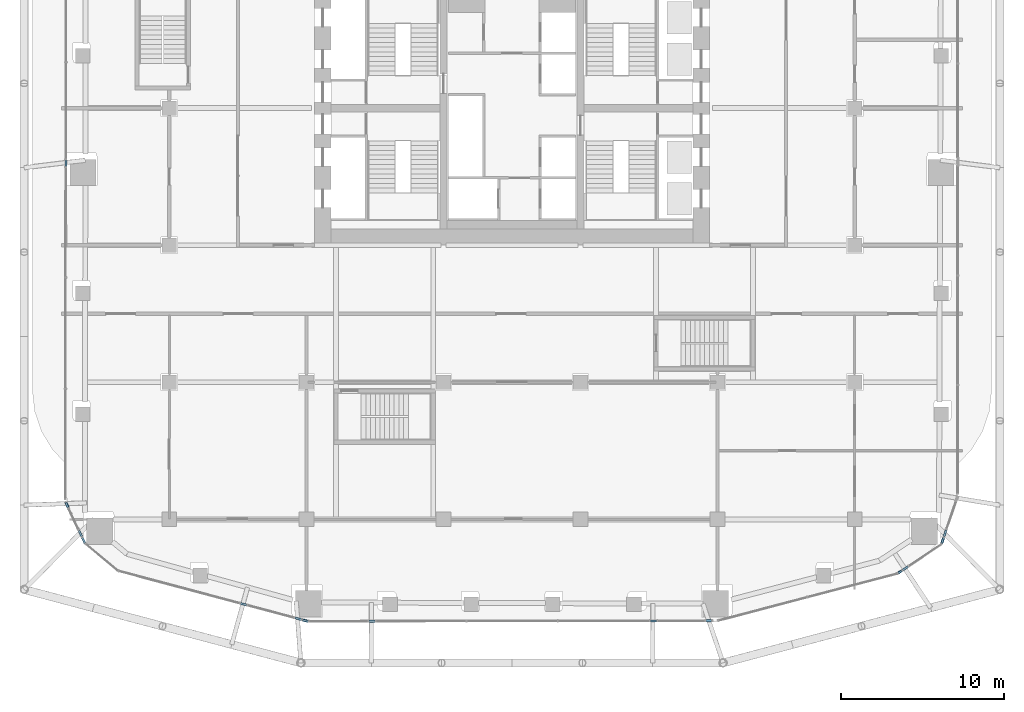
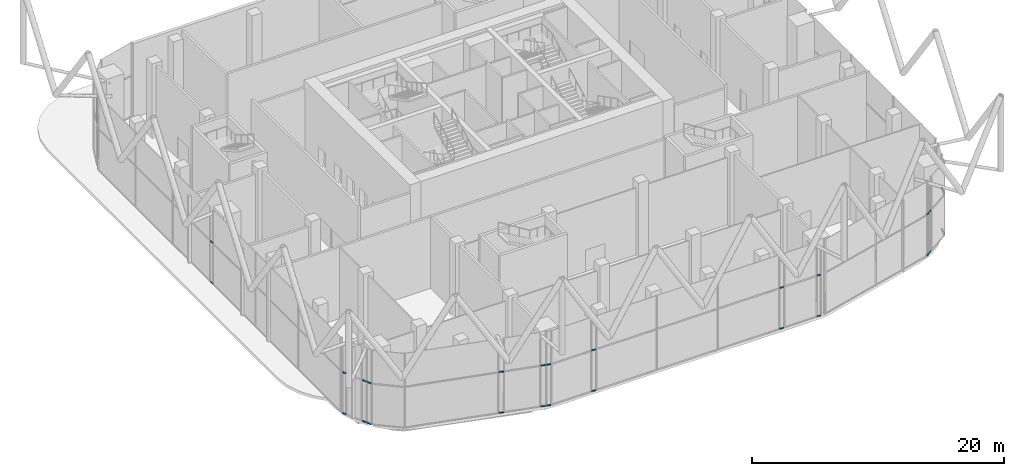
# One storey, part 13 of 34: 28 members, 14 elements without a shape of their own.
"""IFC4 building model written with IfcOpenShell, lengths in metres."""

from ifc_helpers import new_model, si_unit, direction, frame, origin, origin_2d, place, context, subcontext, project, spatial, rectangle, extrude, material, layer, layer_set, material_profile, profile_set, type_object, element, aggregate, save


model = new_model("IFC4")

# Units and contexts
model_context = context("Model", 3, precision=1e-05, world=origin(), true_north=direction((0.0, 1.0)))
body_context = subcontext(model_context, "Body", "Model", "MODEL_VIEW")
ifc_project = project(units=[si_unit("LENGTHUNIT", "METRE"), si_unit("AREAUNIT", "SQUARE_METRE"), si_unit("VOLUMEUNIT", "CUBIC_METRE"), si_unit("PLANEANGLEUNIT", "RADIAN"), si_unit("MASSUNIT", "GRAM", prefix="KILO")], contexts=[model_context])

# Site, building, storey
site_placement = place(None, origin())
site = spatial("IfcSite", under=ifc_project, at=site_placement, CompositionType="ELEMENT")
building_placement = place(site_placement, origin())
building = spatial("IfcBuilding", under=site, at=building_placement, Name="Marenta Gate Hotel Tower", CompositionType="ELEMENT")
storey_placement = place(building_placement, frame((0.0, 0.0, 97.699951171875)))
storey = spatial("IfcBuildingStorey", under=building, at=storey_placement, Name="L21", CompositionType="ELEMENT", Elevation=97.699951171875)

# Curtain wall, members
ifc_material_1 = material(Name="Tinted insulated glass in bronze anodised frame", Category="glass")
ifc_layer = layer(ifc_material_1, 0.1298828125)
ifc_layer_set = layer_set([ifc_layer], Name="Tinted insulated glass in bronze anodised frame")
curtain_wall_type = type_object("IfcCurtainWallType", Name="Sky lobby glazing CW2", PredefinedType="NOTDEFINED", material=ifc_layer_set)
curtain_wall_1_placement = place(storey_placement, origin())
curtain_wall_1 = element("IfcCurtainWall", 1, at=curtain_wall_1_placement, inside=storey, type_object=curtain_wall_type, Name="CW2 run G07", PredefinedType="NOTDEFINED")
ifc_material_2 = material(Name="Bronze anodised aluminium", Category="aluminium")
ifc_material_profile = material_profile(ifc_material_2, rectangle(XDim=0.1298828125, YDim=0.080078125, at=origin_2d()), Name="Transom CW2 80x130 bronze anodised aluminium")
ifc_profile_set = profile_set([ifc_material_profile], Name="Bronze anodised aluminium")
member_type = type_object("IfcMemberType", Name="Transom CW2 80x130 bronze anodised aluminium", PredefinedType="USERDEFINED", material=ifc_profile_set)
member_1_placement = place(storey_placement, frame((-27.34521484375, 5.211181640625, 0.0400390625), z_axis=(-0.00194552161, -0.999998107471, 0.0), x_axis=(0.999998107471, -0.00194552161, 0.0)))
member_1 = element("IfcMember", 2, at=member_1_placement, type_object=member_type, Name="CW2 transom 1.1", ObjectType="TRANSOM", PredefinedType="USERDEFINED", context=body_context, shape_type="SweptSolid", body=[
    extrude(rectangle(XDim=0.1298828125, YDim=0.080078125, at=origin_2d()), origin(), (0.0, 0.0, 1.0), 0.37646484375),
])
member_2_placement = place(storey_placement, frame((-27.34521484375, 5.211181640625, 4.0), z_axis=(-0.00194552161, -0.999998107471, 0.0), x_axis=(0.999998107471, -0.00194552161, 0.0)))
member_2 = element("IfcMember", 3, at=member_2_placement, type_object=member_type, Name="CW2 transom 1.2", ObjectType="TRANSOM", PredefinedType="USERDEFINED", context=body_context, shape_type="SweptSolid", body=[
    extrude(rectangle(XDim=0.1298828125, YDim=0.080078125, at=origin_2d()), origin(), (0.0, 0.0, 1.0), 0.37646484375),
])
aggregate(curtain_wall_1, [member_1, member_2])

curtain_wall_2_placement = place(storey_placement, origin())
curtain_wall_2 = element("IfcCurtainWall", 4, at=curtain_wall_2_placement, inside=storey, type_object=curtain_wall_type, Name="CW2 run G09", PredefinedType="NOTDEFINED")
member_3_placement = place(storey_placement, frame((-27.34423828125, -15.767333984375, 0.0400390625), z_axis=(0.423545475436, -0.90587484248, 0.0), x_axis=(0.90587484248, 0.423545475436, 0.0)))
member_3 = element("IfcMember", 5, at=member_3_placement, type_object=member_type, Name="CW2 transom 1.1", ObjectType="TRANSOM", PredefinedType="USERDEFINED", context=body_context, shape_type="SweptSolid", body=[
    extrude(rectangle(XDim=0.1298828125, YDim=0.080078125, at=origin_2d()), origin(), (0.0, 0.0, 1.0), 0.323974609375),
])
member_4_placement = place(storey_placement, frame((-27.34423828125, -15.767333984375, 4.0), z_axis=(0.423545475436, -0.90587484248, 0.0), x_axis=(0.90587484248, 0.423545475436, 0.0)))
member_4 = element("IfcMember", 6, at=member_4_placement, type_object=member_type, Name="CW2 transom 1.2", ObjectType="TRANSOM", PredefinedType="USERDEFINED", context=body_context, shape_type="SweptSolid", body=[
    extrude(rectangle(XDim=0.1298828125, YDim=0.080078125, at=origin_2d()), origin(), (0.0, 0.0, 1.0), 0.323974609375),
])
aggregate(curtain_wall_2, [member_3, member_4])

curtain_wall_3_placement = place(storey_placement, origin())
curtain_wall_3 = element("IfcCurtainWall", 7, at=curtain_wall_3_placement, inside=storey, type_object=curtain_wall_type, Name="CW2 run G11", PredefinedType="NOTDEFINED")
member_5_placement = place(storey_placement, frame((-26.53955078125, -17.489501953125, 0.0400390625), z_axis=(0.423548784825, -0.905873295154, 0.0), x_axis=(0.905873295154, 0.423548784825, 0.0)))
member_5 = element("IfcMember", 8, at=member_5_placement, type_object=member_type, Name="CW2 transom 1.1", ObjectType="TRANSOM", PredefinedType="USERDEFINED", context=body_context, shape_type="SweptSolid", body=[
    extrude(rectangle(XDim=0.1298828125, YDim=0.080078125, at=origin_2d()), origin(), (0.0, 0.0, 1.0), 0.40283203125),
])
member_6_placement = place(storey_placement, frame((-26.53955078125, -17.489501953125, 4.0), z_axis=(0.423548784825, -0.905873295154, 0.0), x_axis=(0.905873295154, 0.423548784825, 0.0)))
member_6 = element("IfcMember", 9, at=member_6_placement, type_object=member_type, Name="CW2 transom 1.2", ObjectType="TRANSOM", PredefinedType="USERDEFINED", context=body_context, shape_type="SweptSolid", body=[
    extrude(rectangle(XDim=0.1298828125, YDim=0.080078125, at=origin_2d()), origin(), (0.0, 0.0, 1.0), 0.40283203125),
])
aggregate(curtain_wall_3, [member_5, member_6])

curtain_wall_4_placement = place(storey_placement, origin())
curtain_wall_4 = element("IfcCurtainWall", 10, at=curtain_wall_4_placement, inside=storey, type_object=curtain_wall_type, Name="CW2 run G12", PredefinedType="NOTDEFINED")
member_7_placement = place(storey_placement, frame((-26.3349609375, -17.927001953125, 0.0400390625), z_axis=(0.423465846474, -0.905912069061, 0.0), x_axis=(0.905912069061, 0.423465846474, 0.0)))
member_7 = element("IfcMember", 11, at=member_7_placement, type_object=member_type, Name="CW2 transom 1.1", ObjectType="TRANSOM", PredefinedType="USERDEFINED", context=body_context, shape_type="SweptSolid", body=[
    extrude(rectangle(XDim=0.1298828125, YDim=0.080078125, at=origin_2d()), origin(), (0.0, 0.0, 1.0), 0.368408203125),
])
member_8_placement = place(storey_placement, frame((-26.3349609375, -17.927001953125, 4.0), z_axis=(0.423465846474, -0.905912069061, 0.0), x_axis=(0.905912069061, 0.423465846474, 0.0)))
member_8 = element("IfcMember", 12, at=member_8_placement, type_object=member_type, Name="CW2 transom 1.2", ObjectType="TRANSOM", PredefinedType="USERDEFINED", context=body_context, shape_type="SweptSolid", body=[
    extrude(rectangle(XDim=0.1298828125, YDim=0.080078125, at=origin_2d()), origin(), (0.0, 0.0, 1.0), 0.368408203125),
])
aggregate(curtain_wall_4, [member_7, member_8])

curtain_wall_5_placement = place(storey_placement, origin())
curtain_wall_5 = element("IfcCurtainWall", 13, at=curtain_wall_5_placement, inside=storey, type_object=curtain_wall_type, Name="CW2 run G15", PredefinedType="NOTDEFINED")
member_9_placement = place(storey_placement, frame((-16.63232421875, -21.95458984375, 0.0400390625), z_axis=(0.966375967665, -0.257133212791, 0.0), x_axis=(0.257133212791, 0.966375967665, 0.0)))
member_9 = element("IfcMember", 14, at=member_9_placement, type_object=member_type, Name="CW2 transom 1.1", ObjectType="TRANSOM", PredefinedType="USERDEFINED", context=body_context, shape_type="SweptSolid", body=[
    extrude(rectangle(XDim=0.1298828125, YDim=0.080078125, at=origin_2d()), origin(), (0.0, 0.0, 1.0), 0.373046875),
])
member_10_placement = place(storey_placement, frame((-16.63232421875, -21.95458984375, 4.0), z_axis=(0.966375967665, -0.257133212791, 0.0), x_axis=(0.257133212791, 0.966375967665, 0.0)))
member_10 = element("IfcMember", 15, at=member_10_placement, type_object=member_type, Name="CW2 transom 1.2", ObjectType="TRANSOM", PredefinedType="USERDEFINED", context=body_context, shape_type="SweptSolid", body=[
    extrude(rectangle(XDim=0.1298828125, YDim=0.080078125, at=origin_2d()), origin(), (0.0, 0.0, 1.0), 0.373046875),
])
aggregate(curtain_wall_5, [member_9, member_10])

curtain_wall_6_placement = place(storey_placement, origin())
curtain_wall_6 = element("IfcCurtainWall", 16, at=curtain_wall_6_placement, inside=storey, type_object=curtain_wall_type, Name="CW2 run G17", PredefinedType="NOTDEFINED")
member_11_placement = place(storey_placement, frame((-13.2998046875, -22.841552734375, 0.0400390625), z_axis=(0.966558469222, -0.256446340539, 0.0), x_axis=(0.256446340539, 0.966558469222, 0.0)))
member_11 = element("IfcMember", 17, at=member_11_placement, type_object=member_type, Name="CW2 transom 1.1", ObjectType="TRANSOM", PredefinedType="USERDEFINED", context=body_context, shape_type="SweptSolid", body=[
    extrude(rectangle(XDim=0.1298828125, YDim=0.080078125, at=origin_2d()), origin(), (0.0, 0.0, 1.0), 0.39990234375),
])
member_12_placement = place(storey_placement, frame((-13.2998046875, -22.841552734375, 4.0), z_axis=(0.966558469222, -0.256446340539, 0.0), x_axis=(0.256446340539, 0.966558469222, 0.0)))
member_12 = element("IfcMember", 18, at=member_12_placement, type_object=member_type, Name="CW2 transom 1.2", ObjectType="TRANSOM", PredefinedType="USERDEFINED", context=body_context, shape_type="SweptSolid", body=[
    extrude(rectangle(XDim=0.1298828125, YDim=0.080078125, at=origin_2d()), origin(), (0.0, 0.0, 1.0), 0.39990234375),
])
aggregate(curtain_wall_6, [member_11, member_12])

curtain_wall_7_placement = place(storey_placement, origin())
curtain_wall_7 = element("IfcCurtainWall", 19, at=curtain_wall_7_placement, inside=storey, type_object=curtain_wall_type, Name="CW2 run G18", PredefinedType="NOTDEFINED")
member_13_placement = place(storey_placement, frame((-12.836181640625, -22.96484375, 0.0400390625), z_axis=(0.966412931223, -0.256994253562, 0.0), x_axis=(0.256994253562, 0.966412931223, 0.0)))
member_13 = element("IfcMember", 20, at=member_13_placement, type_object=member_type, Name="CW2 transom 1.1", ObjectType="TRANSOM", PredefinedType="USERDEFINED", context=body_context, shape_type="SweptSolid", body=[
    extrude(rectangle(XDim=0.1298828125, YDim=0.080078125, at=origin_2d()), origin(), (0.0, 0.0, 1.0), 0.341064453125),
])
member_14_placement = place(storey_placement, frame((-12.836181640625, -22.96484375, 4.0), z_axis=(0.966412931223, -0.256994253562, 0.0), x_axis=(0.256994253562, 0.966412931223, 0.0)))
member_14 = element("IfcMember", 21, at=member_14_placement, type_object=member_type, Name="CW2 transom 1.2", ObjectType="TRANSOM", PredefinedType="USERDEFINED", context=body_context, shape_type="SweptSolid", body=[
    extrude(rectangle(XDim=0.1298828125, YDim=0.080078125, at=origin_2d()), origin(), (0.0, 0.0, 1.0), 0.341064453125),
])
aggregate(curtain_wall_7, [member_13, member_14])

curtain_wall_8_placement = place(storey_placement, origin())
curtain_wall_8 = element("IfcCurtainWall", 22, at=curtain_wall_8_placement, inside=storey, type_object=curtain_wall_type, Name="CW2 run G20", PredefinedType="NOTDEFINED")
member_15_placement = place(storey_placement, frame((-8.764404296875, -23.04736328125, 0.0400390625), z_axis=(0.999999143391, 0.001308899402, 0.0), x_axis=(-0.001308899402, 0.999999143391, 0.0)))
member_15 = element("IfcMember", 23, at=member_15_placement, type_object=member_type, Name="CW2 transom 1.1", ObjectType="TRANSOM", PredefinedType="USERDEFINED", context=body_context, shape_type="SweptSolid", body=[
    extrude(rectangle(XDim=0.1298828125, YDim=0.080078125, at=origin_2d()), origin(), (0.0, 0.0, 1.0), 0.373046875),
])
member_16_placement = place(storey_placement, frame((-8.764404296875, -23.04736328125, 4.0), z_axis=(0.999999143391, 0.001308899402, 0.0), x_axis=(-0.001308899402, 0.999999143391, 0.0)))
member_16 = element("IfcMember", 24, at=member_16_placement, type_object=member_type, Name="CW2 transom 1.2", ObjectType="TRANSOM", PredefinedType="USERDEFINED", context=body_context, shape_type="SweptSolid", body=[
    extrude(rectangle(XDim=0.1298828125, YDim=0.080078125, at=origin_2d()), origin(), (0.0, 0.0, 1.0), 0.373046875),
])
aggregate(curtain_wall_8, [member_15, member_16])

curtain_wall_9_placement = place(storey_placement, origin())
curtain_wall_9 = element("IfcCurtainWall", 25, at=curtain_wall_9_placement, inside=storey, type_object=curtain_wall_type, Name="CW2 run G22", PredefinedType="NOTDEFINED")
member_17_placement = place(storey_placement, frame((8.48779296875, -23.02392578125, 0.0400390625), z_axis=(0.999999143391, 0.001308899402, 0.0), x_axis=(-0.001308899402, 0.999999143391, 0.0)))
member_17 = element("IfcMember", 26, at=member_17_placement, type_object=member_type, Name="CW2 transom 1.1", ObjectType="TRANSOM", PredefinedType="USERDEFINED", context=body_context, shape_type="SweptSolid", body=[
    extrude(rectangle(XDim=0.1298828125, YDim=0.080078125, at=origin_2d()), origin(), (0.0, 0.0, 1.0), 0.373046875),
])
member_18_placement = place(storey_placement, frame((8.48779296875, -23.02392578125, 4.0), z_axis=(0.999999143391, 0.001308899402, 0.0), x_axis=(-0.001308899402, 0.999999143391, 0.0)))
member_18 = element("IfcMember", 27, at=member_18_placement, type_object=member_type, Name="CW2 transom 1.2", ObjectType="TRANSOM", PredefinedType="USERDEFINED", context=body_context, shape_type="SweptSolid", body=[
    extrude(rectangle(XDim=0.1298828125, YDim=0.080078125, at=origin_2d()), origin(), (0.0, 0.0, 1.0), 0.373046875),
])
aggregate(curtain_wall_9, [member_17, member_18])

curtain_wall_10_placement = place(storey_placement, origin())
curtain_wall_10 = element("IfcCurtainWall", 28, at=curtain_wall_10_placement, inside=storey, type_object=curtain_wall_type, Name="CW2 run G24", PredefinedType="NOTDEFINED")
member_19_placement = place(storey_placement, frame((11.9033203125, -23.019287109375, 0.0400390625), z_axis=(0.999998823819, 0.001533740527, 0.0), x_axis=(-0.001533740527, 0.999998823819, 0.0)))
member_19 = element("IfcMember", 29, at=member_19_placement, type_object=member_type, Name="CW2 transom 1.1", ObjectType="TRANSOM", PredefinedType="USERDEFINED", context=body_context, shape_type="SweptSolid", body=[
    extrude(rectangle(XDim=0.1298828125, YDim=0.080078125, at=origin_2d()), origin(), (0.0, 0.0, 1.0), 0.318359375),
])
member_20_placement = place(storey_placement, frame((11.9033203125, -23.019287109375, 4.0), z_axis=(0.999998823819, 0.001533740527, 0.0), x_axis=(-0.001533740527, 0.999998823819, 0.0)))
member_20 = element("IfcMember", 30, at=member_20_placement, type_object=member_type, Name="CW2 transom 1.2", ObjectType="TRANSOM", PredefinedType="USERDEFINED", context=body_context, shape_type="SweptSolid", body=[
    extrude(rectangle(XDim=0.1298828125, YDim=0.080078125, at=origin_2d()), origin(), (0.0, 0.0, 1.0), 0.318359375),
])
aggregate(curtain_wall_10, [member_19, member_20])

curtain_wall_11_placement = place(storey_placement, origin())
curtain_wall_11 = element("IfcCurtainWall", 31, at=curtain_wall_11_placement, inside=storey, type_object=curtain_wall_type, Name="CW2 run G26", PredefinedType="NOTDEFINED")
member_21_placement = place(storey_placement, frame((23.67626953125, -20.090087890625, 0.0400390625), z_axis=(0.832199137205, 0.554476866998, 0.0), x_axis=(-0.554476866998, 0.832199137205, 0.0)))
member_21 = element("IfcMember", 32, at=member_21_placement, type_object=member_type, Name="CW2 transom 1.1", ObjectType="TRANSOM", PredefinedType="USERDEFINED", context=body_context, shape_type="SweptSolid", body=[
    extrude(rectangle(XDim=0.1298828125, YDim=0.080078125, at=origin_2d()), origin(), (0.0, 0.0, 1.0), 0.252197265625),
])
member_22_placement = place(storey_placement, frame((23.67626953125, -20.090087890625, 4.0), z_axis=(0.832199137205, 0.554476866998, 0.0), x_axis=(-0.554476866998, 0.832199137205, 0.0)))
member_22 = element("IfcMember", 33, at=member_22_placement, type_object=member_type, Name="CW2 transom 1.2", ObjectType="TRANSOM", PredefinedType="USERDEFINED", context=body_context, shape_type="SweptSolid", body=[
    extrude(rectangle(XDim=0.1298828125, YDim=0.080078125, at=origin_2d()), origin(), (0.0, 0.0, 1.0), 0.252197265625),
])
aggregate(curtain_wall_11, [member_21, member_22])

curtain_wall_12_placement = place(storey_placement, origin())
curtain_wall_12 = element("IfcCurtainWall", 34, at=curtain_wall_12_placement, inside=storey, type_object=curtain_wall_type, Name="CW2 run G27", PredefinedType="NOTDEFINED")
member_23_placement = place(storey_placement, frame((23.952880859375, -19.90576171875, 0.0400390625), z_axis=(0.832654048892, 0.553793494782, 0.0), x_axis=(-0.553793494782, 0.832654048892, 0.0)))
member_23 = element("IfcMember", 35, at=member_23_placement, type_object=member_type, Name="CW2 transom 1.1", ObjectType="TRANSOM", PredefinedType="USERDEFINED", context=body_context, shape_type="SweptSolid", body=[
    extrude(rectangle(XDim=0.1298828125, YDim=0.080078125, at=origin_2d()), origin(), (0.0, 0.0, 1.0), 0.373046875),
])
member_24_placement = place(storey_placement, frame((23.952880859375, -19.90576171875, 4.0), z_axis=(0.832654048892, 0.553793494782, 0.0), x_axis=(-0.553793494782, 0.832654048892, 0.0)))
member_24 = element("IfcMember", 36, at=member_24_placement, type_object=member_type, Name="CW2 transom 1.2", ObjectType="TRANSOM", PredefinedType="USERDEFINED", context=body_context, shape_type="SweptSolid", body=[
    extrude(rectangle(XDim=0.1298828125, YDim=0.080078125, at=origin_2d()), origin(), (0.0, 0.0, 1.0), 0.373046875),
])
aggregate(curtain_wall_12, [member_23, member_24])

curtain_wall_13_placement = place(storey_placement, origin())
curtain_wall_13 = element("IfcCurtainWall", 37, at=curtain_wall_13_placement, inside=storey, type_object=curtain_wall_type, Name="CW2 run G29", PredefinedType="NOTDEFINED")
member_25_placement = place(storey_placement, frame((26.3349609375, -18.261962890625, 0.0400390625), z_axis=(0.321915333997, 0.946768460468, 0.0), x_axis=(-0.946768460468, 0.321915333997, 0.0)))
member_25 = element("IfcMember", 38, at=member_25_placement, type_object=member_type, Name="CW2 transom 1.1", ObjectType="TRANSOM", PredefinedType="USERDEFINED", context=body_context, shape_type="SweptSolid", body=[
    extrude(rectangle(XDim=0.1298828125, YDim=0.080078125, at=origin_2d()), origin(), (0.0, 0.0, 1.0), 0.347412109375),
])
member_26_placement = place(storey_placement, frame((26.3349609375, -18.261962890625, 4.0), z_axis=(0.321915333997, 0.946768460468, 0.0), x_axis=(-0.946768460468, 0.321915333997, 0.0)))
member_26 = element("IfcMember", 39, at=member_26_placement, type_object=member_type, Name="CW2 transom 1.2", ObjectType="TRANSOM", PredefinedType="USERDEFINED", context=body_context, shape_type="SweptSolid", body=[
    extrude(rectangle(XDim=0.1298828125, YDim=0.080078125, at=origin_2d()), origin(), (0.0, 0.0, 1.0), 0.347412109375),
])
aggregate(curtain_wall_13, [member_25, member_26])

curtain_wall_14_placement = place(storey_placement, origin())
curtain_wall_14 = element("IfcCurtainWall", 40, at=curtain_wall_14_placement, inside=storey, type_object=curtain_wall_type, Name="CW2 run G30", PredefinedType="NOTDEFINED")
member_27_placement = place(storey_placement, frame((26.472412109375, -17.857421875, 0.0400390625), z_axis=(0.32240573871, 0.946601573867, 0.0), x_axis=(-0.946601573867, 0.32240573871, 0.0)))
member_27 = element("IfcMember", 41, at=member_27_placement, type_object=member_type, Name="CW2 transom 1.1", ObjectType="TRANSOM", PredefinedType="USERDEFINED", context=body_context, shape_type="SweptSolid", body=[
    extrude(rectangle(XDim=0.1298828125, YDim=0.080078125, at=origin_2d()), origin(), (0.0, 0.0, 1.0), 0.42626953125),
])
member_28_placement = place(storey_placement, frame((26.472412109375, -17.857421875, 4.0), z_axis=(0.32240573871, 0.946601573867, 0.0), x_axis=(-0.946601573867, 0.32240573871, 0.0)))
member_28 = element("IfcMember", 42, at=member_28_placement, type_object=member_type, Name="CW2 transom 1.2", ObjectType="TRANSOM", PredefinedType="USERDEFINED", context=body_context, shape_type="SweptSolid", body=[
    extrude(rectangle(XDim=0.1298828125, YDim=0.080078125, at=origin_2d()), origin(), (0.0, 0.0, 1.0), 0.42626953125),
])
aggregate(curtain_wall_14, [member_27, member_28])

save(model, "model.ifc")
